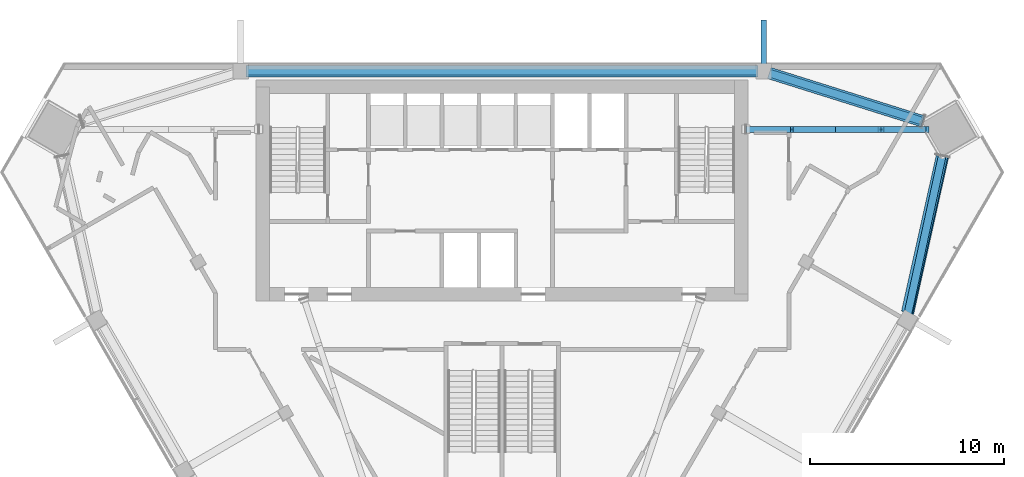
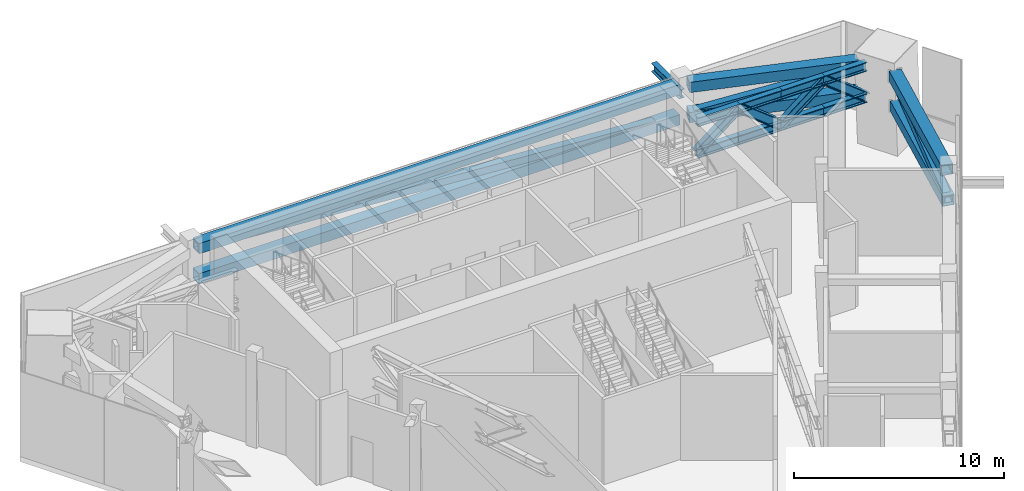
# One storey, part 6 of 14: 22 members.
"""IFC4 building model written with IfcOpenShell, lengths in metres."""

from ifc_helpers import new_model, si_unit, direction, frame, origin, origin_2d, place, context, subcontext, project, spatial, hollow_rectangle, i_section, extrude, material, material_profile, profile_set, type_object, element, save


model = new_model("IFC4")

# Units and contexts
model_context = context("Model", 3, precision=1e-05, world=origin(), true_north=direction((0.0, 1.0)))
body_context = subcontext(model_context, "Body", "Model", "MODEL_VIEW")
ifc_project = project(units=[si_unit("LENGTHUNIT", "METRE"), si_unit("AREAUNIT", "SQUARE_METRE"), si_unit("VOLUMEUNIT", "CUBIC_METRE"), si_unit("PLANEANGLEUNIT", "RADIAN"), si_unit("MASSUNIT", "GRAM", prefix="KILO")], contexts=[model_context])

# Site, building, storey
site_placement = place(None, origin())
site = spatial("IfcSite", under=ifc_project, at=site_placement, CompositionType="ELEMENT")
building_placement = place(site_placement, origin())
building = spatial("IfcBuilding", under=site, at=building_placement, Name="Altiplano Prism Tower", CompositionType="ELEMENT")
storey_placement = place(building_placement, frame((0.0, 0.0, 189.0)))
storey = spatial("IfcBuildingStorey", under=building, at=storey_placement, Name="L49", CompositionType="ELEMENT", Elevation=189.0)

# Members
ifc_material = material(Name="Steel S355", Category="steel")
ifc_material_profile_1 = material_profile(ifc_material, hollow_rectangle(XDim=0.60009765625, YDim=0.60009765625, WallThickness=0.030029296875, at=origin_2d()), Name="Belt chord Box 600x600x30")
ifc_profile_set_1 = profile_set([ifc_material_profile_1], Name="Steel S355")
member_type_1 = type_object("IfcMemberType", Name="Belt chord Box 600x600x30", PredefinedType="CHORD", material=ifc_profile_set_1)
member_1_placement = place(storey_placement, frame((105.947998046875, 92.0546875, 2.89990234375), z_axis=(0.217552476104, 0.97604862591, 0.0), x_axis=(-0.97604862591, 0.217552476104, 0.0)))
element("IfcMember", 1, at=member_1_placement, inside=storey, type_object=member_type_1, Name="Belt truss R2 chord b1", PredefinedType="CHORD", context=body_context, shape_type="SweptSolid", body=[
    extrude(hollow_rectangle(XDim=0.60009765625, YDim=0.60009765625, WallThickness=0.030029296875, at=origin_2d()), origin(), (0.0, 0.0, 1.0), 8.31103515625),
])
member_2_placement = place(storey_placement, frame((105.9091796875, 92.1220703125, 4.64990234375), z_axis=(0.21759709034, 0.976038680727, 0.0), x_axis=(-0.976038680727, 0.21759709034, 0.0)))
element("IfcMember", 2, at=member_2_placement, inside=storey, type_object=member_type_1, Name="Belt truss R2 chord t1", PredefinedType="CHORD", context=body_context, shape_type="SweptSolid", body=[
    extrude(hollow_rectangle(XDim=0.60009765625, YDim=0.60009765625, WallThickness=0.030029296875, at=origin_2d()), origin(), (0.0, 0.0, 1.0), 8.259033203125),
])
member_3_placement = place(storey_placement, frame((106.71484375, 101.969970703125, 2.89990234375), z_axis=(-0.954049873713, 0.299647857439, 0.0), x_axis=(-0.299647857439, -0.954049873713, 0.0)))
element("IfcMember", 3, at=member_3_placement, inside=storey, type_object=member_type_1, Name="Belt truss R2 chord b2", PredefinedType="CHORD", context=body_context, shape_type="SweptSolid", body=[
    extrude(hollow_rectangle(XDim=0.60009765625, YDim=0.60009765625, WallThickness=0.030029296875, at=origin_2d()), origin(), (0.0, 0.0, 1.0), 8.311279296875),
])
member_4_placement = place(storey_placement, frame((106.665283203125, 101.986083984375, 4.64990234375), z_axis=(-0.954068816021, 0.299587540289, 0.0), x_axis=(-0.299587540289, -0.954068816021, 0.0)))
element("IfcMember", 4, at=member_4_placement, inside=storey, type_object=member_type_1, Name="Belt truss R2 chord t2", PredefinedType="CHORD", context=body_context, shape_type="SweptSolid", body=[
    extrude(hollow_rectangle(XDim=0.60009765625, YDim=0.60009765625, WallThickness=0.030029296875, at=origin_2d()), origin(), (0.0, 0.0, 1.0), 8.25927734375),
])
for number, where, z_axis, x_axis, name in (
    (5, (98.219970703125, 104.550048828125, 2.89990234375), (-1.0, 0.0, 0.0), (0.0, -1.0, 0.0), "Belt truss R2 chord b3"),
    (6, (98.219970703125, 104.550048828125, 4.64990234375), (-1.0, 0.0, 0.0), (0.0, -1.0, 0.0), "Belt truss R2 chord t3"),
):
    element("IfcMember", number, at=place(storey_placement, frame(where, z_axis=z_axis, x_axis=x_axis)), inside=storey, type_object=member_type_1, Name=name, PredefinedType="CHORD", context=body_context, shape_type="SweptSolid", body=[
        extrude(hollow_rectangle(XDim=0.60009765625, YDim=0.60009765625, WallThickness=0.030029296875, at=origin_2d()), origin(), (0.0, 0.0, 1.0), 26.43994140625),
    ])
ifc_material_profile_2 = material_profile(ifc_material, hollow_rectangle(XDim=0.39990234375, YDim=0.39990234375, WallThickness=0.02001953125, at=origin_2d()), Name="Belt diagonal Box 400x400x20")
ifc_profile_set_2 = profile_set([ifc_material_profile_2], Name="Steel S355")
member_type_2 = type_object("IfcMemberType", Name="Belt diagonal Box 400x400x20", PredefinedType="BRACE", material=ifc_profile_set_2)
member_5_placement = place(storey_placement, frame((105.946533203125, 92.054931640625, 2.9521484375), z_axis=(0.209298156376, 0.96262185618, 0.17191115072), x_axis=(-0.977169507595, 0.212461180985, 0.0)))
element("IfcMember", 7, at=member_5_placement, inside=storey, type_object=member_type_2, Name="Belt truss R2 diagonal 1", PredefinedType="BRACE", context=body_context, shape_type="SweptSolid", body=[
    extrude(hollow_rectangle(XDim=0.39990234375, YDim=0.39990234375, WallThickness=0.02001953125, at=origin_2d()), origin(), (0.0, 0.0, 1.0), 8.482666015625),
])
member_6_placement = place(storey_placement, frame((106.703369140625, 101.97412109375, 4.408935546875), z_axis=(-0.939710768506, 0.295079380441, -0.172834692098), x_axis=(-0.299587925238, -0.954068695143, 0.0)))
element("IfcMember", 8, at=member_6_placement, inside=storey, type_object=member_type_2, Name="Belt truss R2 diagonal 2", PredefinedType="BRACE", context=body_context, shape_type="SweptSolid", body=[
    extrude(hollow_rectangle(XDim=0.39990234375, YDim=0.39990234375, WallThickness=0.02001953125, at=origin_2d()), origin(), (0.0, 0.0, 1.0), 8.426025390625),
])
member_7_placement = place(storey_placement, frame((98.219970703125, 104.550048828125, 2.918212890625), z_axis=(-0.997906302059, 0.0, 0.064676211326), x_axis=(0.0, -1.0, 0.0)))
element("IfcMember", 9, at=member_7_placement, inside=storey, type_object=member_type_2, Name="Belt truss R2 diagonal 3", PredefinedType="BRACE", context=body_context, shape_type="SweptSolid", body=[
    extrude(hollow_rectangle(XDim=0.39990234375, YDim=0.39990234375, WallThickness=0.02001953125, at=origin_2d()), origin(), (0.0, 0.0, 1.0), 26.495361328125),
])
ifc_material_profile_3 = material_profile(ifc_material, i_section(OverallWidth=0.300048828125, OverallDepth=0.5, WebThickness=0.014404296875, FlangeThickness=0.028076171875, FilletRadius=0.027099609375, at=origin_2d()), Name="Brace bracket HEB 500")
ifc_profile_set_3 = profile_set([ifc_material_profile_3], Name="Steel S355")
member_type_3 = type_object("IfcMemberType", Name="Brace bracket HEB 500", PredefinedType="STRUT", material=ifc_profile_set_3)
member_8_placement = place(storey_placement, frame((98.5, 104.550048828125, 4.12353515625), z_axis=(0.0, 1.0, 0.0), x_axis=(-1.0, 0.0, 0.0)))
element("IfcMember", 10, at=member_8_placement, inside=storey, type_object=member_type_3, Name="Brace bracket 0.194.4", PredefinedType="STRUT", context=body_context, shape_type="SweptSolid", body=[
    extrude(i_section(OverallWidth=0.300048828125, OverallDepth=0.5, WebThickness=0.014404296875, FlangeThickness=0.028076171875, FilletRadius=0.027099609375, at=origin_2d()), origin(), (0.0, 0.0, 1.0), 2.64990234375),
])
ifc_material_profile_4 = material_profile(ifc_material, i_section(OverallWidth=0.305908203125, OverallDepth=0.52392578125, WebThickness=0.02099609375, FlangeThickness=0.0400390625, FilletRadius=0.027099609375, at=origin_2d()), Name="Outrigger chord HEM 500")
ifc_profile_set_4 = profile_set([ifc_material_profile_4], Name="Steel S355")
member_type_4 = type_object("IfcMemberType", Name="Outrigger chord HEM 500", PredefinedType="CHORD", material=ifc_profile_set_4)
for number, where, z_axis, x_axis, name in (
    (11, (106.888427734375, 101.5546875, 2.862060546875), (-1.0, 0.0, 0.0), (0.0, -1.0, 0.0), "Outrigger truss R2 2 chord b1"),
    (12, (106.888427734375, 101.5546875, 4.68798828125), (-1.0, 0.0, 0.0), (0.0, -1.0, 0.0), "Outrigger truss R2 2 chord t1"),
):
    element("IfcMember", number, at=place(storey_placement, frame(where, z_axis=z_axis, x_axis=x_axis)), inside=storey, type_object=member_type_4, Name=name, PredefinedType="CHORD", context=body_context, shape_type="SweptSolid", body=[
        extrude(i_section(OverallWidth=0.305908203125, OverallDepth=0.52392578125, WebThickness=0.02099609375, FlangeThickness=0.0400390625, FilletRadius=0.027099609375, at=origin_2d()), origin(), (0.0, 0.0, 1.0), 2.33447265625),
    ])
for number, where, z_axis, x_axis, name in (
    (13, (104.553955078125, 101.5546875, 2.862060546875), (-1.0, 0.0, 0.0), (0.0, -1.0, 0.0), "Outrigger truss R2 2 chord b2"),
    (14, (104.553955078125, 101.5546875, 4.68798828125), (-1.0, 0.0, 0.0), (0.0, -1.0, 0.0), "Outrigger truss R2 2 chord t2"),
    (15, (102.21923828125, 101.5546875, 2.862060546875), (-1.0, 0.0, 0.0), (0.0, -1.0, 0.0), "Outrigger truss R2 2 chord b3"),
    (16, (102.21923828125, 101.5546875, 4.68798828125), (-1.0, 0.0, 0.0), (0.0, -1.0, 0.0), "Outrigger truss R2 2 chord t3"),
):
    element("IfcMember", number, at=place(storey_placement, frame(where, z_axis=z_axis, x_axis=x_axis)), inside=storey, type_object=member_type_4, Name=name, PredefinedType="CHORD", context=body_context, shape_type="SweptSolid", body=[
        extrude(i_section(OverallWidth=0.305908203125, OverallDepth=0.52392578125, WebThickness=0.02099609375, FlangeThickness=0.0400390625, FilletRadius=0.027099609375, at=origin_2d()), origin(), (0.0, 0.0, 1.0), 2.334716796875),
    ])
for number, where, z_axis, x_axis, name in (
    (17, (99.884521484375, 101.5546875, 2.862060546875), (-1.0, 0.0, 0.0), (0.0, -1.0, 0.0), "Outrigger truss R2 2 chord b4"),
    (18, (99.884521484375, 101.5546875, 4.68798828125), (-1.0, 0.0, 0.0), (0.0, -1.0, 0.0), "Outrigger truss R2 2 chord t4"),
):
    element("IfcMember", number, at=place(storey_placement, frame(where, z_axis=z_axis, x_axis=x_axis)), inside=storey, type_object=member_type_4, Name=name, PredefinedType="CHORD", context=body_context, shape_type="SweptSolid", body=[
        extrude(i_section(OverallWidth=0.305908203125, OverallDepth=0.52392578125, WebThickness=0.02099609375, FlangeThickness=0.0400390625, FilletRadius=0.027099609375, at=origin_2d()), origin(), (0.0, 0.0, 1.0), 2.29443359375),
    ])
ifc_material_profile_5 = material_profile(ifc_material, i_section(OverallWidth=0.300048828125, OverallDepth=0.5, WebThickness=0.014404296875, FlangeThickness=0.028076171875, FilletRadius=0.027099609375, at=origin_2d()), Name="Outrigger diagonal HEB 500")
ifc_profile_set_5 = profile_set([ifc_material_profile_5], Name="Steel S355")
member_type_5 = type_object("IfcMemberType", Name="Outrigger diagonal HEB 500", PredefinedType="BRACE", material=ifc_profile_set_5)
member_9_placement = place(storey_placement, frame((106.888427734375, 101.5546875, 2.862060546875), z_axis=(-0.787677061295, 0.0, 0.616088343592), x_axis=(0.0, -1.0, 0.0)))
element("IfcMember", 19, at=member_9_placement, inside=storey, type_object=member_type_5, Name="Outrigger truss R2 2 diagonal 1", PredefinedType="BRACE", context=body_context, shape_type="SweptSolid", body=[
    extrude(i_section(OverallWidth=0.300048828125, OverallDepth=0.5, WebThickness=0.014404296875, FlangeThickness=0.028076171875, FilletRadius=0.027099609375, at=origin_2d()), origin(), (0.0, 0.0, 1.0), 2.963623046875),
])
for number, where, z_axis, x_axis, name in (
    (20, (104.553955078125, 101.5546875, 4.68798828125), (-0.787708325197, 0.0, -0.616048370192), (0.0, -1.0, 0.0), "Outrigger truss R2 2 diagonal 2"),
    (21, (102.21923828125, 101.5546875, 2.862060546875), (-0.787708325197, 0.0, 0.616048370192), (0.0, -1.0, 0.0), "Outrigger truss R2 2 diagonal 3"),
):
    element("IfcMember", number, at=place(storey_placement, frame(where, z_axis=z_axis, x_axis=x_axis)), inside=storey, type_object=member_type_5, Name=name, PredefinedType="BRACE", context=body_context, shape_type="SweptSolid", body=[
        extrude(i_section(OverallWidth=0.300048828125, OverallDepth=0.5, WebThickness=0.014404296875, FlangeThickness=0.028076171875, FilletRadius=0.027099609375, at=origin_2d()), origin(), (0.0, 0.0, 1.0), 2.9638671875),
    ])
member_10_placement = place(storey_placement, frame((99.884521484375, 101.5546875, 4.68798828125), z_axis=(-0.787681176206, 0.0, -0.616083082588), x_axis=(0.0, -1.0, 0.0)))
element("IfcMember", 22, at=member_10_placement, inside=storey, type_object=member_type_5, Name="Outrigger truss R2 2 diagonal 4", PredefinedType="BRACE", context=body_context, shape_type="SweptSolid", body=[
    extrude(i_section(OverallWidth=0.300048828125, OverallDepth=0.5, WebThickness=0.014404296875, FlangeThickness=0.028076171875, FilletRadius=0.027099609375, at=origin_2d()), origin(), (0.0, 0.0, 1.0), 2.923828125),
])

save(model, "model.ifc")
